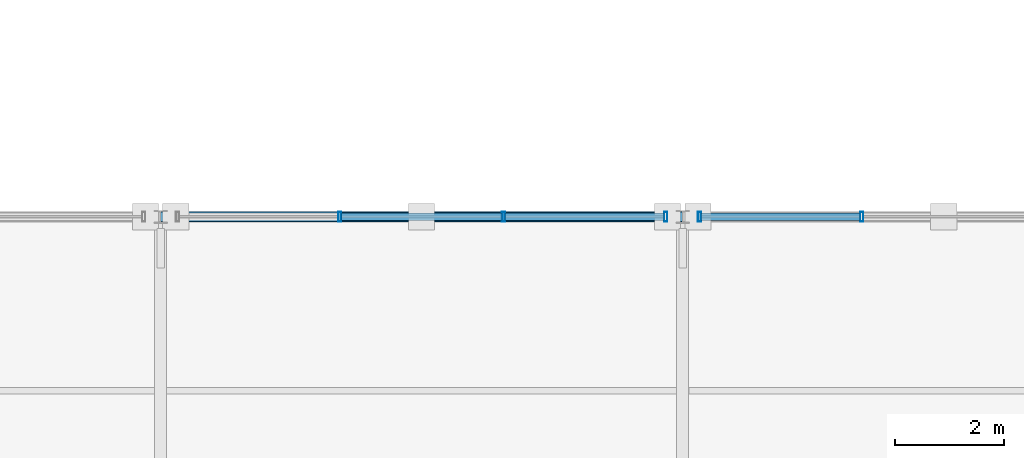
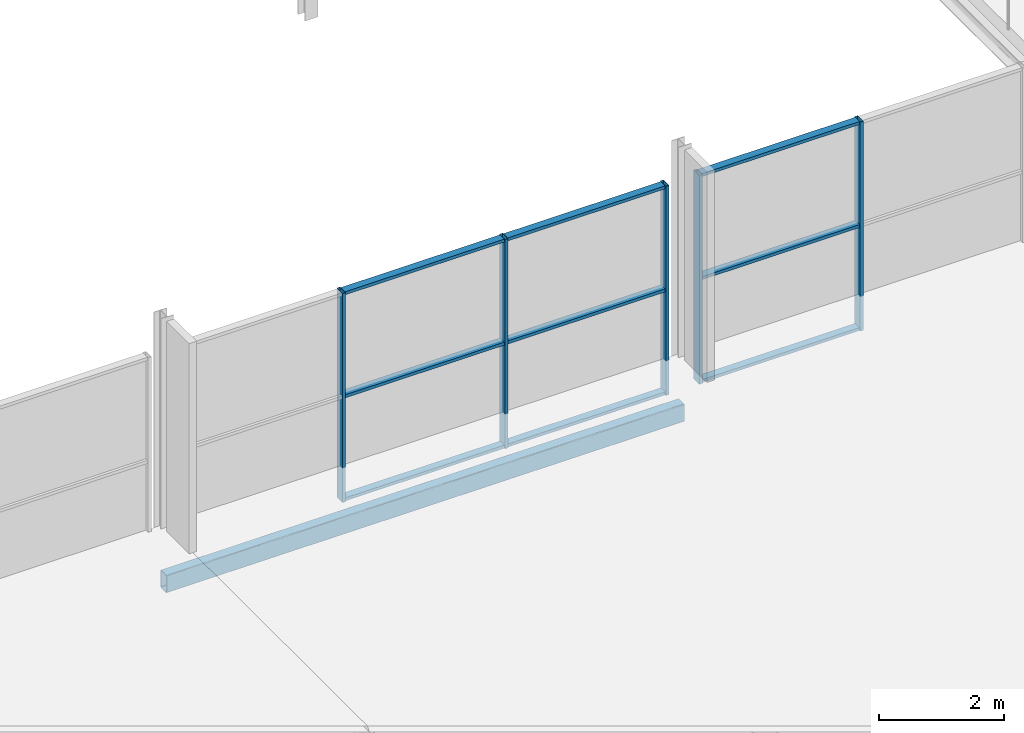
# One storey, part 28 of 159: 14 members, 1 beam, 2 elements without a shape of their own.
"""IFC4 building model written with IfcOpenShell, lengths in metres."""

from ifc_helpers import new_model, si_unit, direction, frame, origin, origin_2d, place, context, subcontext, project, spatial, hollow_rectangle, extrude, material, material_profile, profile_set, type_object, element, aggregate, save


model = new_model("IFC4")

# Units and contexts
model_context = context("Model", 3, precision=1e-05, world=origin(), true_north=direction((0.0, 1.0)))
body_context = subcontext(model_context, "Body", "Model", "MODEL_VIEW")
ifc_project = project(units=[si_unit("LENGTHUNIT", "METRE"), si_unit("AREAUNIT", "SQUARE_METRE"), si_unit("VOLUMEUNIT", "CUBIC_METRE"), si_unit("PLANEANGLEUNIT", "RADIAN"), si_unit("MASSUNIT", "GRAM", prefix="KILO")], contexts=[model_context])

# Site, building, storey
site_placement = place(None, origin())
site = spatial("IfcSite", under=ifc_project, at=site_placement, CompositionType="ELEMENT")
building_placement = place(site_placement, origin())
building = spatial("IfcBuilding", under=site, at=building_placement, Name="Merenkruunu Market Hall", CompositionType="ELEMENT")
storey_placement = place(building_placement, frame((0.0, 0.0, 5.39990234375)))
storey = spatial("IfcBuildingStorey", under=building, at=storey_placement, Name="L01", CompositionType="ELEMENT", Elevation=5.39990234375)

# Curtain wall, members
ifc_material_1 = material(Name="Powder-coated aluminium", Category="aluminium")
curtain_wall_type = type_object("IfcCurtainWallType", Name="Glazed Curtain Wall CW09", PredefinedType="USERDEFINED", material=ifc_material_1)
curtain_wall_1_placement = place(storey_placement, origin())
curtain_wall_1 = element("IfcCurtainWall", 1, at=curtain_wall_1_placement, inside=storey, type_object=curtain_wall_type, Name="CW-L01-CWM02-029", ObjectType="GLAZED_FACADE", PredefinedType="USERDEFINED")
ifc_material_profile_1 = material_profile(ifc_material_1, hollow_rectangle(XDim=0.06005859375, YDim=0.179931640625, WallThickness=0.00390625, at=origin_2d()), Name="ALU 60x180x4")
ifc_profile_set_1 = profile_set([ifc_material_profile_1], Name="Powder-coated aluminium")
member_type_1 = type_object("IfcMemberType", Name="Curtain Wall Mullion CWM02", PredefinedType="MULLION", material=ifc_profile_set_1)
member_1_placement = place(storey_placement, frame((38.090087890625, 15.60009765625, 0.0), z_axis=(0.0, 0.0, 1.0), x_axis=(-1.0, 0.0, 0.0)))
member_1 = element("IfcMember", 2, at=member_1_placement, type_object=member_type_1, Name="CW09 mullion 1", PredefinedType="MULLION", context=body_context, shape_type="SweptSolid", body=[
    extrude(hollow_rectangle(XDim=0.06005859375, YDim=0.179931640625, WallThickness=0.00390625, at=origin_2d()), origin(), (0.0, 0.0, 1.0), 4.10009765625),
])
member_2_placement = place(storey_placement, frame((35.106689453125, 15.60009765625, 0.0), z_axis=(0.0, 0.0, 1.0), x_axis=(-1.0, 0.0, 0.0)))
member_2 = element("IfcMember", 3, at=member_2_placement, type_object=member_type_1, Name="CW09 mullion 2", PredefinedType="MULLION", context=body_context, shape_type="SweptSolid", body=[
    extrude(hollow_rectangle(XDim=0.06005859375, YDim=0.179931640625, WallThickness=0.00390625, at=origin_2d()), origin(), (0.0, 0.0, 1.0), 4.10009765625),
])
member_3_placement = place(storey_placement, frame((32.09326171875, 15.60009765625, 0.0), z_axis=(0.0, 0.0, 1.0), x_axis=(-1.0, 0.0, 0.0)))
member_3 = element("IfcMember", 4, at=member_3_placement, type_object=member_type_1, Name="CW09 mullion 3", PredefinedType="MULLION", context=body_context, shape_type="SweptSolid", body=[
    extrude(hollow_rectangle(XDim=0.06005859375, YDim=0.179931640625, WallThickness=0.00390625, at=origin_2d()), origin(), (0.0, 0.0, 1.0), 4.10009765625),
])

curtain_wall_2_placement = place(storey_placement, origin())
curtain_wall_2 = element("IfcCurtainWall", 5, at=curtain_wall_2_placement, inside=storey, type_object=curtain_wall_type, Name="CW-L01-CWM02-032", ObjectType="GLAZED_FACADE", PredefinedType="USERDEFINED")
member_4_placement = place(storey_placement, frame((41.693359375, 15.60009765625, 0.0), z_axis=(0.0, 0.0, 1.0), x_axis=(-1.0, 0.0, 0.0)))
member_4 = element("IfcMember", 6, at=member_4_placement, type_object=member_type_1, Name="CW09 mullion 3", PredefinedType="MULLION", context=body_context, shape_type="SweptSolid", body=[
    extrude(hollow_rectangle(XDim=0.06005859375, YDim=0.179931640625, WallThickness=0.00390625, at=origin_2d()), origin(), (0.0, 0.0, 1.0), 4.10009765625),
])
member_5_placement = place(storey_placement, frame((38.7099609375, 15.60009765625, 0.0), z_axis=(0.0, 0.0, 1.0), x_axis=(-1.0, 0.0, 0.0)))
member_5 = element("IfcMember", 7, at=member_5_placement, type_object=member_type_1, Name="CW09 mullion 4", PredefinedType="MULLION", context=body_context, shape_type="SweptSolid", body=[
    extrude(hollow_rectangle(XDim=0.06005859375, YDim=0.179931640625, WallThickness=0.00390625, at=origin_2d()), origin(), (0.0, 0.0, 1.0), 4.10009765625),
])

# Member
ifc_material_profile_2 = material_profile(ifc_material_1, hollow_rectangle(XDim=0.06005859375, YDim=0.139892578125, WallThickness=0.00390625, at=origin_2d()), Name="ALU 60x140x4")
ifc_profile_set_2 = profile_set([ifc_material_profile_2], Name="Powder-coated aluminium")
member_type_2 = type_object("IfcMemberType", Name="Curtain Wall Transom CWT02", PredefinedType="USERDEFINED", material=ifc_profile_set_2)
member_6_placement = place(storey_placement, frame((38.06005859375, 15.60009765625, 0.030029296875), z_axis=(-1.0, 0.0, 0.0), x_axis=(0.0, 0.0, 1.0)))
member_6 = element("IfcMember", 8, at=member_6_placement, type_object=member_type_2, Name="CW09 transom 1.1", ObjectType="TRANSOM", PredefinedType="USERDEFINED", context=body_context, shape_type="SweptSolid", body=[
    extrude(hollow_rectangle(XDim=0.06005859375, YDim=0.139892578125, WallThickness=0.00390625, at=origin_2d()), origin(), (0.0, 0.0, 1.0), 2.92333984375),
])

member_7_placement = place(storey_placement, frame((38.06005859375, 15.60009765625, 2.050048828125), z_axis=(-1.0, 0.0, 0.0), x_axis=(0.0, 0.0, 1.0)))
member_7 = element("IfcMember", 9, at=member_7_placement, type_object=member_type_2, Name="CW09 transom 1.2", ObjectType="TRANSOM", PredefinedType="USERDEFINED", context=body_context, shape_type="SweptSolid", body=[
    extrude(hollow_rectangle(XDim=0.06005859375, YDim=0.139892578125, WallThickness=0.00390625, at=origin_2d()), origin(), (0.0, 0.0, 1.0), 2.92333984375),
])

member_8_placement = place(storey_placement, frame((38.06005859375, 15.60009765625, 4.070068359375), z_axis=(-1.0, 0.0, 0.0), x_axis=(0.0, 0.0, 1.0)))
member_8 = element("IfcMember", 10, at=member_8_placement, type_object=member_type_2, Name="CW09 transom 1.3", ObjectType="TRANSOM", PredefinedType="USERDEFINED", context=body_context, shape_type="SweptSolid", body=[
    extrude(hollow_rectangle(XDim=0.06005859375, YDim=0.139892578125, WallThickness=0.00390625, at=origin_2d()), origin(), (0.0, 0.0, 1.0), 2.92333984375),
])

member_9_placement = place(storey_placement, frame((35.07666015625, 15.60009765625, 0.030029296875), z_axis=(-1.0, 0.0, 0.0), x_axis=(0.0, 0.0, 1.0)))
member_9 = element("IfcMember", 11, at=member_9_placement, type_object=member_type_2, Name="CW09 transom 2.1", ObjectType="TRANSOM", PredefinedType="USERDEFINED", context=body_context, shape_type="SweptSolid", body=[
    extrude(hollow_rectangle(XDim=0.06005859375, YDim=0.139892578125, WallThickness=0.00390625, at=origin_2d()), origin(), (0.0, 0.0, 1.0), 2.953369140625),
])

member_10_placement = place(storey_placement, frame((35.07666015625, 15.60009765625, 2.050048828125), z_axis=(-1.0, 0.0, 0.0), x_axis=(0.0, 0.0, 1.0)))
member_10 = element("IfcMember", 12, at=member_10_placement, type_object=member_type_2, Name="CW09 transom 2.2", ObjectType="TRANSOM", PredefinedType="USERDEFINED", context=body_context, shape_type="SweptSolid", body=[
    extrude(hollow_rectangle(XDim=0.06005859375, YDim=0.139892578125, WallThickness=0.00390625, at=origin_2d()), origin(), (0.0, 0.0, 1.0), 2.953369140625),
])

member_11_placement = place(storey_placement, frame((35.07666015625, 15.60009765625, 4.070068359375), z_axis=(-1.0, 0.0, 0.0), x_axis=(0.0, 0.0, 1.0)))
member_11 = element("IfcMember", 13, at=member_11_placement, type_object=member_type_2, Name="CW09 transom 2.3", ObjectType="TRANSOM", PredefinedType="USERDEFINED", context=body_context, shape_type="SweptSolid", body=[
    extrude(hollow_rectangle(XDim=0.06005859375, YDim=0.139892578125, WallThickness=0.00390625, at=origin_2d()), origin(), (0.0, 0.0, 1.0), 2.953369140625),
])

aggregate(curtain_wall_1, [member_1, member_2, member_3, member_6, member_7, member_8, member_9, member_10, member_11])

member_12_placement = place(storey_placement, frame((41.663330078125, 15.60009765625, 0.030029296875), z_axis=(-1.0, 0.0, 0.0), x_axis=(0.0, 0.0, 1.0)))
member_12 = element("IfcMember", 14, at=member_12_placement, type_object=member_type_2, Name="CW09 transom 3.1", ObjectType="TRANSOM", PredefinedType="USERDEFINED", context=body_context, shape_type="SweptSolid", body=[
    extrude(hollow_rectangle(XDim=0.06005859375, YDim=0.139892578125, WallThickness=0.00390625, at=origin_2d()), origin(), (0.0, 0.0, 1.0), 2.92333984375),
])

member_13_placement = place(storey_placement, frame((41.663330078125, 15.60009765625, 2.050048828125), z_axis=(-1.0, 0.0, 0.0), x_axis=(0.0, 0.0, 1.0)))
member_13 = element("IfcMember", 15, at=member_13_placement, type_object=member_type_2, Name="CW09 transom 3.2", ObjectType="TRANSOM", PredefinedType="USERDEFINED", context=body_context, shape_type="SweptSolid", body=[
    extrude(hollow_rectangle(XDim=0.06005859375, YDim=0.139892578125, WallThickness=0.00390625, at=origin_2d()), origin(), (0.0, 0.0, 1.0), 2.92333984375),
])

member_14_placement = place(storey_placement, frame((41.663330078125, 15.60009765625, 4.070068359375), z_axis=(-1.0, 0.0, 0.0), x_axis=(0.0, 0.0, 1.0)))
member_14 = element("IfcMember", 16, at=member_14_placement, type_object=member_type_2, Name="CW09 transom 3.3", ObjectType="TRANSOM", PredefinedType="USERDEFINED", context=body_context, shape_type="SweptSolid", body=[
    extrude(hollow_rectangle(XDim=0.06005859375, YDim=0.139892578125, WallThickness=0.00390625, at=origin_2d()), origin(), (0.0, 0.0, 1.0), 2.92333984375),
])

aggregate(curtain_wall_2, [member_4, member_5, member_12, member_13, member_14])

# Beam
ifc_material_2 = material(Name="Steel S355J2", Category="steel")
ifc_material_profile_3 = material_profile(ifc_material_2, hollow_rectangle(XDim=0.199951171875, YDim=0.35009765625, WallThickness=0.012451171875, InnerFilletRadius=0.012451171875, OuterFilletRadius=0.02490234375, at=origin_2d()), Name="RHS 350x200x12.5")
ifc_profile_set_3 = profile_set([ifc_material_profile_3], Name="Steel S355J2")
beam_type = type_object("IfcBeamType", Name="Perimeter Spandrel Beam SP02", PredefinedType="SPANDREL", material=ifc_profile_set_3)
beam_placement = place(storey_placement, frame((28.800048828125, 15.60009765625, -0.454833984375), z_axis=(1.0, 0.0, 0.0), x_axis=(0.0, 1.0, 0.0)))
element("IfcBeam", 17, at=beam_placement, inside=storey, type_object=beam_type, Name="BM-L01-SP02-1250", PredefinedType="SPANDREL", context=body_context, shape_type="SweptSolid", body=[
    extrude(hollow_rectangle(XDim=0.199951171875, YDim=0.35009765625, WallThickness=0.012451171875, InnerFilletRadius=0.012451171875, OuterFilletRadius=0.02490234375, at=origin_2d()), origin(), (0.0, 0.0, 1.0), 9.599853515625),
])

save(model, "model.ifc")
